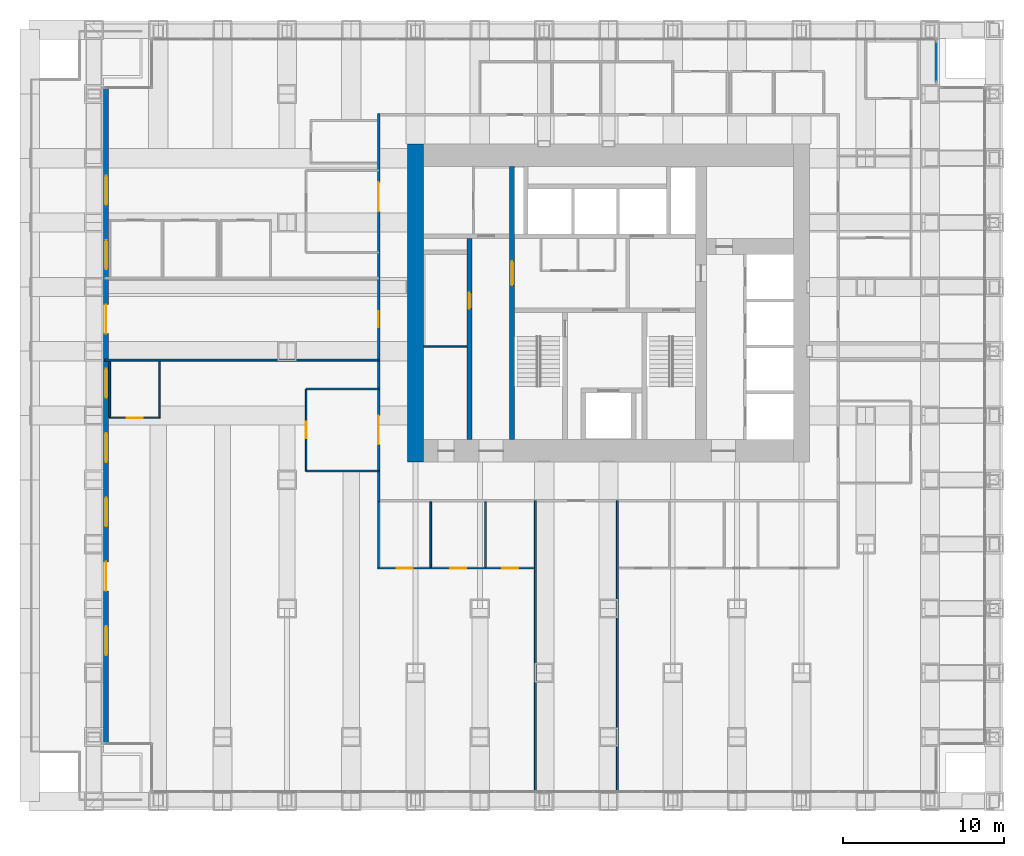
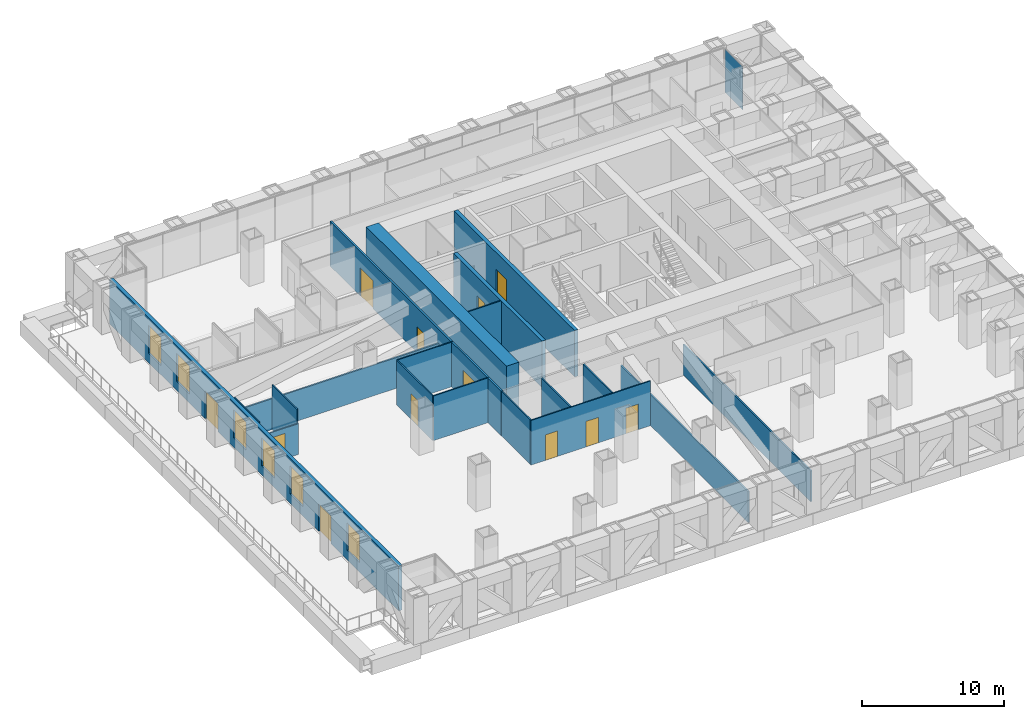
# One storey, part 13 of 18: 19 walls, 12 doors, 6 windows, 1 plate, 18 openings, 1 element without a shape of its own.
"""IFC4 building model written with IfcOpenShell, lengths in metres."""

from ifc_helpers import new_model, si_unit, direction, frame, frame_2d, origin, origin_2d, place, context, subcontext, project, spatial, rectangle, extrude, material, layer, layer_set, type_object, element, fill, aggregate, save


model = new_model("IFC4")

# Units and contexts
model_context = context("Model", 3, precision=1e-05, world=origin(), true_north=direction((0.0, 1.0)))
body_context = subcontext(model_context, "Body", "Model", "MODEL_VIEW")
ifc_project = project(units=[si_unit("LENGTHUNIT", "METRE"), si_unit("AREAUNIT", "SQUARE_METRE"), si_unit("VOLUMEUNIT", "CUBIC_METRE"), si_unit("PLANEANGLEUNIT", "RADIAN"), si_unit("MASSUNIT", "GRAM", prefix="KILO")], contexts=[model_context])

# Site, building, storey
site_placement = place(None, origin())
site = spatial("IfcSite", under=ifc_project, at=site_placement, CompositionType="ELEMENT")
building_placement = place(site_placement, origin())
building = spatial("IfcBuilding", under=site, at=building_placement, Name="Rimbunsela Tower", CompositionType="ELEMENT")
storey_placement = place(building_placement, frame((0.0, 0.0, 11.0)))
storey = spatial("IfcBuildingStorey", under=building, at=storey_placement, Name="L02", CompositionType="ELEMENT", Elevation=11.0)

# Curtain wall, plate
ifc_material_1 = material(Name="Aluminium curtain wall", Category="aluminium")
curtain_wall_type = type_object("IfcCurtainWallType", Name="Corner glazing", PredefinedType="USERDEFINED", material=ifc_material_1)
curtain_wall_placement = place(storey_placement, origin())
curtain_wall = element("IfcCurtainWall", 1, at=curtain_wall_placement, inside=storey, type_object=curtain_wall_type, Name="Corner glazing L02", ObjectType="CORNER GLAZING", PredefinedType="USERDEFINED")
ifc_material_2 = material(Name="Clear double glazing", Category="glass")
ifc_layer_1 = layer(ifc_material_2, 0.028076171875)
ifc_layer_set_1 = layer_set([ifc_layer_1], Name="Glazed panel clear")
plate_type = type_object("IfcPlateType", Name="Glazed panel clear", PredefinedType="CURTAIN_PANEL", material=ifc_layer_set_1)
plate_placement = place(storey_placement, frame((50.39990234375, 42.0, 0.06005859375), z_axis=(0.0, 0.0, 1.0), x_axis=(0.0, 1.0, 0.0)))
plate = element("IfcPlate", 2, at=plate_placement, type_object=plate_type, Name="CW5 panel 1.1", PredefinedType="CURTAIN_PANEL", context=body_context, shape_type="SweptSolid", body=[
    extrude(rectangle(XDim=2.47998046875, YDim=0.028076171875, at=origin_2d()), origin(), (0.0, 0.0, 1.0), 3.72998046875),
])
aggregate(curtain_wall, [plate])

# Wall, opening, door
ifc_material_3 = material(Name="Concrete fc' 80 MPa", Category="concrete")
ifc_layer_2 = layer(ifc_material_3, 0.300048828125)
ifc_layer_set_2 = layer_set([ifc_layer_2], Name="Core internal wall 300")
wall_type_1 = type_object("IfcWallType", Name="Core internal wall 300", PredefinedType="SHEAR", material=ifc_layer_set_2)
wall_1_placement = place(storey_placement, frame((24.0, 18.5, -0.14990234375), z_axis=(0.0, 0.0, 1.0), x_axis=(0.0, 1.0, 0.0)))
wall_1 = element("IfcWall", 3, at=wall_1_placement, inside=storey, type_object=wall_type_1, Name="Core wall at stair A", PredefinedType="SHEAR", context=body_context, shape_type="SweptSolid", body=[
    extrude(rectangle(XDim=17.0, YDim=0.300048828125, at=frame_2d((8.5, 0.0))), origin(), (0.0, 0.0, 1.0), 4.0),
])
opening_1_placement = place(wall_1_placement, frame((9.60009765625, 0.0, 0.14990234375)))
opening_1 = element("IfcOpeningElement", 4, at=opening_1_placement, cuts=wall_1, Name="Opening D03", PredefinedType="OPENING", context=body_context, shape_type="SweptSolid", body=[
    extrude(rectangle(XDim=1.5, YDim=2.39990234375, at=frame_2d((0.75, 1.199951171875))), frame((0.0, 0.159912109375, 0.0), z_axis=(0.0, -1.0, 0.0), x_axis=(1.0, 0.0, 0.0)), (0.0, 0.0, 1.0), 0.320068359375),
])
ifc_material_4 = material(Name="Steel door, fire rated", Category="steel")
door_type_1 = type_object("IfcDoorType", Name="Core lobby door 1500", OperationType="DOUBLE_DOOR_DOUBLE_SWING", PredefinedType="DOOR", material=ifc_material_4)
door_1_placement = place(opening_1_placement, origin())
door_1 = element("IfcDoor", 5, at=door_1_placement, inside=storey, type_object=door_type_1, Name="West lobby door", OperationType="DOUBLE_DOOR_DOUBLE_SWING", OverallHeight=2.39990234375, OverallWidth=1.5, PredefinedType="DOOR", context=body_context, shape_type="SweptSolid", body=[
    extrude(rectangle(XDim=1.5, YDim=2.39990234375, at=frame_2d((0.75, 1.199951171875))), frame((0.0, 0.02490234375, 0.0), z_axis=(0.0, -1.0, 0.0), x_axis=(1.0, 0.0, 0.0)), (0.0, 0.0, 1.0), 0.050048828125),
])
fill(opening_1, door_1)

wall_2_placement = place(storey_placement, frame((21.35009765625, 18.5, -0.14990234375), z_axis=(0.0, 0.0, 1.0), x_axis=(0.0, 1.0, 0.0)))
wall_2 = element("IfcWall", 6, at=wall_2_placement, inside=storey, type_object=wall_type_1, Name="Lift shaft front west", PredefinedType="SHEAR", context=body_context, shape_type="SweptSolid", body=[
    extrude(rectangle(XDim=12.5, YDim=0.300048828125, at=frame_2d((6.25, 0.0))), origin(), (0.0, 0.0, 1.0), 4.0),
])
opening_2_placement = place(wall_2_placement, frame((8.14990234375, 0.0, 0.14990234375)))
opening_2 = element("IfcOpeningElement", 7, at=opening_2_placement, cuts=wall_2, Name="Opening D19", PredefinedType="OPENING", context=body_context, shape_type="SweptSolid", body=[
    extrude(rectangle(XDim=1.0, YDim=2.199951171875, at=frame_2d((0.5, 1.10009765625))), frame((0.0, 0.159912109375, 0.0), z_axis=(0.0, -1.0, 0.0), x_axis=(1.0, 0.0, 0.0)), (0.0, 0.0, 1.0), 0.320068359375),
])
ifc_material_5 = material(Name="Steel door, fire rated", Category="steel")
door_type_2 = type_object("IfcDoorType", Name="Service door 1000 fire rated", OperationType="SINGLE_SWING_LEFT", PredefinedType="DOOR", material=ifc_material_5)
door_2_placement = place(opening_2_placement, origin())
door_2 = element("IfcDoor", 8, at=door_2_placement, inside=storey, type_object=door_type_2, Name="Staff WC door", OperationType="SINGLE_SWING_LEFT", OverallHeight=2.199951171875, OverallWidth=1.0, PredefinedType="DOOR", context=body_context, shape_type="SweptSolid", body=[
    extrude(rectangle(XDim=1.0, YDim=2.199951171875, at=frame_2d((0.5, 1.10009765625))), frame((0.0, 0.02490234375, 0.0), z_axis=(0.0, -1.0, 0.0), x_axis=(1.0, 0.0, 0.0)), (0.0, 0.0, 1.0), 0.050048828125),
])
fill(opening_2, door_2)

# Walls
ifc_material_6 = material(Name="Concrete blockwork", Category="masonry")
ifc_layer_3 = layer(ifc_material_6, 0.10009765625)
ifc_layer_set_3 = layer_set([ifc_layer_3], Name="Core room partition 100")
wall_type_2 = type_object("IfcWallType", Name="Core room partition 100", PredefinedType="PARTITIONING", material=ifc_layer_set_3)
wall_3_placement = place(storey_placement, frame((18.5, 24.300048828125, 0.0), z_axis=(0.0, 0.0, 1.0), x_axis=(1.0, 0.0, 0.0)))
element("IfcWall", 9, at=wall_3_placement, inside=storey, type_object=wall_type_2, Name="Staff WC wall", PredefinedType="PARTITIONING", context=body_context, shape_type="SweptSolid", body=[
    extrude(rectangle(XDim=2.699951171875, YDim=0.10009765625, at=frame_2d((1.35009765625, 0.0))), origin(), (0.0, 0.0, 1.0), 3.85009765625),
])
ifc_material_7 = material(Name="Concrete fc' 80 MPa", Category="concrete")
ifc_layer_4 = layer(ifc_material_7, 1.0)
ifc_layer_set_4 = layer_set([ifc_layer_4], Name="Core wall 1000")
wall_type_3 = type_object("IfcWallType", Name="Core wall 1000", PredefinedType="SHEAR", material=ifc_layer_set_4)
wall_4_placement = place(storey_placement, frame((18.0, 17.10009765625, -0.14990234375), z_axis=(0.0, 0.0, 1.0), x_axis=(0.0, 1.0, 0.0)))
element("IfcWall", 10, at=wall_4_placement, inside=storey, type_object=wall_type_3, Name="Core wall west", PredefinedType="SHEAR", context=body_context, shape_type="SweptSolid", body=[
    extrude(rectangle(XDim=19.7998046875, YDim=1.0, at=frame_2d((9.89990234375, 0.0))), origin(), (0.0, 0.0, 1.0), 4.0),
])

# Wall, openings, doors
ifc_material_8 = material(Name="Gypsum board on steel studs", Category="steel")
ifc_layer_5 = layer(ifc_material_8, 0.10009765625)
ifc_layer_set_5 = layer_set([ifc_layer_5], Name="Office partition 100")
wall_type_4 = type_object("IfcWallType", Name="Office partition 100", PredefinedType="PARTITIONING", material=ifc_layer_set_5)
wall_5_placement = place(storey_placement, frame((15.64990234375, 10.5, 0.0), z_axis=(0.0, 0.0, 1.0), x_axis=(1.0, 0.0, 0.0)))
wall_5 = element("IfcWall", 11, at=wall_5_placement, inside=storey, type_object=wall_type_4, Name="Office partition", PredefinedType="PARTITIONING", context=body_context, shape_type="SweptSolid", body=[
    extrude(rectangle(XDim=9.739013671875, YDim=0.10009765625, at=frame_2d((4.86962890625, 0.0))), origin(), (0.0, 0.0, 1.0), 3.85009765625),
])
opening_3_placement = place(wall_5_placement, frame((1.175048828125, 0.0, 0.0)))
opening_3 = element("IfcOpeningElement", 12, at=opening_3_placement, cuts=wall_5, Name="Opening D16", PredefinedType="OPENING", context=body_context, shape_type="SweptSolid", body=[
    extrude(rectangle(XDim=1.0, YDim=2.199951171875, at=frame_2d((0.5, 1.10009765625))), frame((0.0, 0.06005859375, 0.0), z_axis=(0.0, -1.0, 0.0), x_axis=(1.0, 0.0, 0.0)), (0.0, 0.0, 1.0), 0.1201171875),
])
opening_4_placement = place(wall_5_placement, frame((4.5, 0.0, 0.0)))
opening_4 = element("IfcOpeningElement", 13, at=opening_4_placement, cuts=wall_5, Name="Opening D16", PredefinedType="OPENING", context=body_context, shape_type="SweptSolid", body=[
    extrude(rectangle(XDim=1.0, YDim=2.199951171875, at=frame_2d((0.5, 1.10009765625))), frame((0.0, 0.06005859375, 0.0), z_axis=(0.0, -1.0, 0.0), x_axis=(1.0, 0.0, 0.0)), (0.0, 0.0, 1.0), 0.1201171875),
])
opening_5_placement = place(wall_5_placement, frame((7.74951171875, 0.0, 0.0)))
opening_5 = element("IfcOpeningElement", 14, at=opening_5_placement, cuts=wall_5, Name="Opening D16", PredefinedType="OPENING", context=body_context, shape_type="SweptSolid", body=[
    extrude(rectangle(XDim=1.0, YDim=2.199951171875, at=frame_2d((0.5, 1.10009765625))), frame((0.0, 0.06005859375, 0.0), z_axis=(0.0, -1.0, 0.0), x_axis=(1.0, 0.0, 0.0)), (0.0, 0.0, 1.0), 0.1201171875),
])
ifc_material_9 = material(Name="Timber door", Category="wood")
door_type_3 = type_object("IfcDoorType", Name="Office door 1000", OperationType="SINGLE_SWING_LEFT", PredefinedType="DOOR", material=ifc_material_9)
door_3_placement = place(opening_3_placement, origin())
door_3 = element("IfcDoor", 15, at=door_3_placement, inside=storey, type_object=door_type_3, Name="Office door", OperationType="SINGLE_SWING_LEFT", OverallHeight=2.199951171875, OverallWidth=1.0, PredefinedType="DOOR", context=body_context, shape_type="SweptSolid", body=[
    extrude(rectangle(XDim=1.0, YDim=2.199951171875, at=frame_2d((0.5, 1.10009765625))), frame((0.0, 0.02490234375, 0.0), z_axis=(0.0, -1.0, 0.0), x_axis=(1.0, 0.0, 0.0)), (0.0, 0.0, 1.0), 0.050048828125),
])
fill(opening_3, door_3)
door_4_placement = place(opening_4_placement, origin())
door_4 = element("IfcDoor", 16, at=door_4_placement, inside=storey, type_object=door_type_3, Name="Office door", OperationType="SINGLE_SWING_LEFT", OverallHeight=2.199951171875, OverallWidth=1.0, PredefinedType="DOOR", context=body_context, shape_type="SweptSolid", body=[
    extrude(rectangle(XDim=1.0, YDim=2.199951171875, at=frame_2d((0.5, 1.10009765625))), frame((0.0, 0.02490234375, 0.0), z_axis=(0.0, -1.0, 0.0), x_axis=(1.0, 0.0, 0.0)), (0.0, 0.0, 1.0), 0.050048828125),
])
fill(opening_4, door_4)
door_5_placement = place(opening_5_placement, origin())
door_5 = element("IfcDoor", 17, at=door_5_placement, inside=storey, type_object=door_type_3, Name="Office door", OperationType="SINGLE_SWING_LEFT", OverallHeight=2.199951171875, OverallWidth=1.0, PredefinedType="DOOR", context=body_context, shape_type="SweptSolid", body=[
    extrude(rectangle(XDim=1.0, YDim=2.199951171875, at=frame_2d((0.5, 1.10009765625))), frame((0.0, 0.02490234375, 0.0), z_axis=(0.0, -1.0, 0.0), x_axis=(1.0, 0.0, 0.0)), (0.0, 0.0, 1.0), 0.050048828125),
])
fill(opening_5, door_5)

# Wall, opening, door
wall_6_placement = place(storey_placement, frame((-1.070068359375, 19.85009765625, 0.0), z_axis=(0.0, 0.0, 1.0), x_axis=(1.0, 0.0, 0.0)))
wall_6 = element("IfcWall", 18, at=wall_6_placement, inside=storey, type_object=wall_type_4, Name="Office partition", PredefinedType="PARTITIONING", context=body_context, shape_type="SweptSolid", body=[
    extrude(rectangle(XDim=3.199951171875, YDim=0.10009765625, at=frame_2d((1.60009765625, 0.0))), origin(), (0.0, 0.0, 1.0), 2.64990234375),
])
opening_6_placement = place(wall_6_placement, frame((1.10009765625, 0.0, 0.0)))
opening_6 = element("IfcOpeningElement", 19, at=opening_6_placement, cuts=wall_6, Name="Opening D16", PredefinedType="OPENING", context=body_context, shape_type="SweptSolid", body=[
    extrude(rectangle(XDim=1.0, YDim=2.199951171875, at=frame_2d((0.5, 1.10009765625))), frame((0.0, 0.06005859375, 0.0), z_axis=(0.0, -1.0, 0.0), x_axis=(1.0, 0.0, 0.0)), (0.0, 0.0, 1.0), 0.1201171875),
])
door_6_placement = place(opening_6_placement, origin())
door_6 = element("IfcDoor", 20, at=door_6_placement, inside=storey, type_object=door_type_3, Name="Office door", OperationType="SINGLE_SWING_LEFT", OverallHeight=2.199951171875, OverallWidth=1.0, PredefinedType="DOOR", context=body_context, shape_type="SweptSolid", body=[
    extrude(rectangle(XDim=1.0, YDim=2.199951171875, at=frame_2d((0.5, 1.10009765625))), frame((0.0, 0.02490234375, 0.0), z_axis=(0.0, -1.0, 0.0), x_axis=(1.0, 0.0, 0.0)), (0.0, 0.0, 1.0), 0.050048828125),
])
fill(opening_6, door_6)

# Walls
for number, where, z_axis, x_axis, name in (
    (21, (-1.02001953125, 19.89990234375, 0.0), (0.0, 0.0, 1.0), (0.0, 1.0, 0.0), "Office partition"),
    (22, (2.080078125, 19.89990234375, 0.0), (0.0, 0.0, 1.0), (0.0, 1.0, 0.0), "Office partition"),
):
    element("IfcWall", number, at=place(storey_placement, frame(where, z_axis=z_axis, x_axis=x_axis)), inside=storey, type_object=wall_type_4, Name=name, PredefinedType="PARTITIONING", context=body_context, shape_type="SweptSolid", body=[
        extrude(rectangle(XDim=3.489990234375, YDim=0.10009765625, at=frame_2d((1.7451171875, 0.0))), origin(), (0.0, 0.0, 1.0), 3.85009765625),
    ])
for number, where, z_axis, x_axis, name in (
    (23, (15.699951171875, 10.550048828125, 0.0), (0.0, 0.0, 1.0), (0.0, 1.0, 0.0), "Office partition"),
    (24, (18.949951171875, 10.550048828125, 0.0), (0.0, 0.0, 1.0), (0.0, 1.0, 0.0), "Office partition"),
    (25, (22.35009765625, 10.550048828125, 0.0), (0.0, 0.0, 1.0), (0.0, 1.0, 0.0), "Office partition"),
):
    element("IfcWall", number, at=place(storey_placement, frame(where, z_axis=z_axis, x_axis=x_axis)), inside=storey, type_object=wall_type_4, Name=name, PredefinedType="PARTITIONING", context=body_context, shape_type="SweptSolid", body=[
        extrude(rectangle(XDim=4.074951171875, YDim=0.10009765625, at=frame_2d((2.03759765625, 0.0))), origin(), (0.0, 0.0, 1.0), 3.85009765625),
    ])
wall_7_placement = place(storey_placement, frame((15.699951171875, 21.64892578125, 0.0), z_axis=(0.0, 0.0, 1.0), x_axis=(-1.0, 0.0, 0.0)))
element("IfcWall", 26, at=wall_7_placement, inside=storey, type_object=wall_type_4, Name="Office partition", PredefinedType="PARTITIONING", context=body_context, shape_type="SweptSolid", body=[
    extrude(rectangle(XDim=4.5, YDim=0.10009765625, at=frame_2d((2.25, 0.0))), origin(), (0.0, 0.0, 1.0), 3.85009765625),
])

# Wall, opening, door
wall_8_placement = place(storey_placement, frame((11.199951171875, 21.64892578125, 0.0), z_axis=(0.0, 0.0, 1.0), x_axis=(0.0, -1.0, 0.0)))
wall_8 = element("IfcWall", 27, at=wall_8_placement, inside=storey, type_object=wall_type_4, Name="Office partition", PredefinedType="PARTITIONING", context=body_context, shape_type="SweptSolid", body=[
    extrude(rectangle(XDim=5.099853515625, YDim=0.10009765625, at=frame_2d((2.5498046875, 0.0))), origin(), (0.0, 0.0, 1.0), 3.85009765625),
])
opening_7_placement = place(wall_8_placement, frame((2.050048828125, 0.0, 0.0)))
opening_7 = element("IfcOpeningElement", 28, at=opening_7_placement, cuts=wall_8, Name="Opening D17", PredefinedType="OPENING", context=body_context, shape_type="SweptSolid", body=[
    extrude(rectangle(XDim=1.0, YDim=2.199951171875, at=frame_2d((0.5, 1.10009765625))), frame((0.0, 0.06005859375, 0.0), z_axis=(0.0, -1.0, 0.0), x_axis=(1.0, 0.0, 0.0)), (0.0, 0.0, 1.0), 0.1201171875),
])
ifc_material_10 = material(Name="Glazed aluminium door", Category="aluminium")
door_type_4 = type_object("IfcDoorType", Name="Meeting room door 1000 glazed", OperationType="SINGLE_SWING_RIGHT", PredefinedType="DOOR", material=ifc_material_10)
door_7_placement = place(opening_7_placement, origin())
door_7 = element("IfcDoor", 29, at=door_7_placement, inside=storey, type_object=door_type_4, Name="Reception door", OperationType="SINGLE_SWING_RIGHT", OverallHeight=2.199951171875, OverallWidth=1.0, PredefinedType="DOOR", context=body_context, shape_type="SweptSolid", body=[
    extrude(rectangle(XDim=1.0, YDim=2.199951171875, at=frame_2d((0.5, 1.10009765625))), frame((0.0, 0.02490234375, 0.0), z_axis=(0.0, -1.0, 0.0), x_axis=(1.0, 0.0, 0.0)), (0.0, 0.0, 1.0), 0.050048828125),
])
fill(opening_7, door_7)

# Wall
wall_9_placement = place(storey_placement, frame((11.199951171875, 16.549072265625, 0.0), z_axis=(0.0, 0.0, 1.0), x_axis=(1.0, 0.0, 0.0)))
element("IfcWall", 30, at=wall_9_placement, inside=storey, type_object=wall_type_4, Name="Office partition", PredefinedType="PARTITIONING", context=body_context, shape_type="SweptSolid", body=[
    extrude(rectangle(XDim=4.5, YDim=0.10009765625, at=frame_2d((2.25, 0.0))), origin(), (0.0, 0.0, 1.0), 3.85009765625),
])

# Wall, openings, doors
ifc_material_11 = material(Name="Fire-rated gypsum board on steel studs, EI 60", Category="steel")
ifc_layer_6 = layer(ifc_material_11, 0.14990234375)
ifc_layer_set_6 = layer_set([ifc_layer_6], Name="Rated corridor wall 150")
wall_type_5 = type_object("IfcWallType", Name="Rated corridor wall 150", PredefinedType="PARTITIONING", material=ifc_layer_set_6)
wall_10_placement = place(storey_placement, frame((15.699951171875, 14.625, 0.0), z_axis=(0.0, 0.0, 1.0), x_axis=(0.0, 1.0, 0.0)))
wall_10 = element("IfcWall", 31, at=wall_10_placement, inside=storey, type_object=wall_type_5, Name="Corridor wall west", PredefinedType="PARTITIONING", context=body_context, shape_type="SweptSolid", body=[
    extrude(rectangle(XDim=24.14990234375, YDim=0.14990234375, at=frame_2d((12.074951171875, 0.0))), origin(), (0.0, 0.0, 1.0), 3.85009765625),
])
opening_8_placement = place(wall_10_placement, frame((3.573974609375, 0.0, 0.0)))
opening_8 = element("IfcOpeningElement", 32, at=opening_8_placement, cuts=wall_10, Name="Opening D09", PredefinedType="OPENING", context=body_context, shape_type="SweptSolid", body=[
    extrude(rectangle(XDim=1.800048828125, YDim=2.39990234375, at=frame_2d((0.89990234375, 1.199951171875))), frame((0.0, 0.0849609375, 0.0), z_axis=(0.0, -1.0, 0.0), x_axis=(1.0, 0.0, 0.0)), (0.0, 0.0, 1.0), 0.169921875),
])
opening_9_placement = place(wall_10_placement, frame((18.074951171875, 0.0, 0.0)))
opening_9 = element("IfcOpeningElement", 33, at=opening_9_placement, cuts=wall_10, Name="Opening D09", PredefinedType="OPENING", context=body_context, shape_type="SweptSolid", body=[
    extrude(rectangle(XDim=1.800048828125, YDim=2.39990234375, at=frame_2d((0.89990234375, 1.199951171875))), frame((0.0, 0.0849609375, 0.0), z_axis=(0.0, -1.0, 0.0), x_axis=(1.0, 0.0, 0.0)), (0.0, 0.0, 1.0), 0.169921875),
])
opening_10_placement = place(wall_10_placement, frame((10.875, 0.0, 0.0)))
opening_10 = element("IfcOpeningElement", 34, at=opening_10_placement, cuts=wall_10, Name="Opening D19", PredefinedType="OPENING", context=body_context, shape_type="SweptSolid", body=[
    extrude(rectangle(XDim=1.0, YDim=2.199951171875, at=frame_2d((0.5, 1.10009765625))), frame((0.0, 0.0849609375, 0.0), z_axis=(0.0, -1.0, 0.0), x_axis=(1.0, 0.0, 0.0)), (0.0, 0.0, 1.0), 0.169921875),
])
door_8_placement = place(opening_10_placement, origin())
door_8 = element("IfcDoor", 35, at=door_8_placement, inside=storey, type_object=door_type_2, Name="Service chase access door", OperationType="SINGLE_SWING_LEFT", OverallHeight=2.199951171875, OverallWidth=1.0, PredefinedType="DOOR", context=body_context, shape_type="SweptSolid", body=[
    extrude(rectangle(XDim=1.0, YDim=2.199951171875, at=frame_2d((0.5, 1.10009765625))), frame((0.0, 0.02490234375, 0.0), z_axis=(0.0, -1.0, 0.0), x_axis=(1.0, 0.0, 0.0)), (0.0, 0.0, 1.0), 0.050048828125),
])
fill(opening_10, door_8)
ifc_material_12 = material(Name="Glazed aluminium door, fire rated", Category="aluminium")
door_type_5 = type_object("IfcDoorType", Name="Tenancy door 1800 glazed", OperationType="DOUBLE_DOOR_DOUBLE_SWING", PredefinedType="DOOR", material=ifc_material_12)
door_9_placement = place(opening_8_placement, origin())
door_9 = element("IfcDoor", 36, at=door_9_placement, inside=storey, type_object=door_type_5, Name="Tenancy door", OperationType="DOUBLE_DOOR_DOUBLE_SWING", OverallHeight=2.39990234375, OverallWidth=1.800048828125, PredefinedType="DOOR", context=body_context, shape_type="SweptSolid", body=[
    extrude(rectangle(XDim=1.800048828125, YDim=2.39990234375, at=frame_2d((0.89990234375, 1.199951171875))), frame((0.0, 0.02490234375, 0.0), z_axis=(0.0, -1.0, 0.0), x_axis=(1.0, 0.0, 0.0)), (0.0, 0.0, 1.0), 0.050048828125),
])
fill(opening_8, door_9)
door_10_placement = place(opening_9_placement, origin())
door_10 = element("IfcDoor", 37, at=door_10_placement, inside=storey, type_object=door_type_5, Name="Tenancy door", OperationType="DOUBLE_DOOR_DOUBLE_SWING", OverallHeight=2.39990234375, OverallWidth=1.800048828125, PredefinedType="DOOR", context=body_context, shape_type="SweptSolid", body=[
    extrude(rectangle(XDim=1.800048828125, YDim=2.39990234375, at=frame_2d((0.89990234375, 1.199951171875))), frame((0.0, 0.02490234375, 0.0), z_axis=(0.0, -1.0, 0.0), x_axis=(1.0, 0.0, 0.0)), (0.0, 0.0, 1.0), 0.050048828125),
])
fill(opening_9, door_10)

# Walls
ifc_material_13 = material(Name="Gypsum board on steel studs", Category="steel")
ifc_layer_7 = layer(ifc_material_13, 0.1201171875)
ifc_layer_set_7 = layer_set([ifc_layer_7], Name="Tenancy partition 120")
wall_type_6 = type_object("IfcWallType", Name="Tenancy partition 120", PredefinedType="PARTITIONING", material=ifc_layer_set_7)
for number, where, z_axis, x_axis, name in (
    (38, (25.449951171875, -3.320068359375, 0.0), (0.0, 0.0, 1.0), (0.0, 1.0, 0.0), "Tenancy partition"),
    (39, (30.550048828125, -3.320068359375, 0.0), (0.0, 0.0, 1.0), (0.0, 1.0, 0.0), "Tenancy partition"),
):
    element("IfcWall", number, at=place(storey_placement, frame(where, z_axis=z_axis, x_axis=x_axis)), inside=storey, type_object=wall_type_6, Name=name, PredefinedType="PARTITIONING", context=body_context, shape_type="SweptSolid", body=[
        extrude(rectangle(XDim=18.02001953125, YDim=0.1201171875, at=frame_2d((9.010009765625, 0.0))), origin(), (0.0, 0.0, 1.0), 2.64990234375),
    ])
wall_11_placement = place(storey_placement, frame((-1.320068359375, 23.449951171875, 0.0), z_axis=(0.0, 0.0, 1.0), x_axis=(1.0, 0.0, 0.0)))
element("IfcWall", 40, at=wall_11_placement, inside=storey, type_object=wall_type_6, Name="Tenancy partition", PredefinedType="PARTITIONING", context=body_context, shape_type="SweptSolid", body=[
    extrude(rectangle(XDim=17.02001953125, YDim=0.1201171875, at=frame_2d((8.510009765625, 0.0))), origin(), (0.0, 0.0, 1.0), 2.64990234375),
])

# Wall, openings, doors, windows
ifc_material_14 = material(Name="Precast concrete fc' 35 MPa", Category="concrete")
ifc_layer_8 = layer(ifc_material_14, 0.300048828125)
ifc_layer_set_8 = layer_set([ifc_layer_8], Name="Terrace wall 300")
wall_type_7 = type_object("IfcWallType", Name="Terrace wall 300", PredefinedType="ELEMENTEDWALL", material=ifc_layer_set_8)
wall_12_placement = place(storey_placement, frame((-1.25, 40.39990234375, 0.0), z_axis=(0.0, 0.0, 1.0), x_axis=(0.0, -1.0, 0.0)))
wall_12 = element("IfcWall", 41, at=wall_12_placement, inside=storey, type_object=wall_type_7, Name="Terrace wall W L02", PredefinedType="ELEMENTEDWALL", context=body_context, shape_type="SweptSolid", body=[
    extrude(rectangle(XDim=40.7998046875, YDim=0.300048828125, at=frame_2d((20.39990234375, 0.0))), origin(), (0.0, 0.0, 1.0), 3.85009765625),
])
opening_11_placement = place(wall_12_placement, frame((33.5, 0.0, 0.800048828125)))
opening_11 = element("IfcOpeningElement", 42, at=opening_11_placement, cuts=wall_12, Name="Opening W3", PredefinedType="OPENING", context=body_context, shape_type="SweptSolid", body=[
    extrude(rectangle(XDim=1.800048828125, YDim=2.39990234375, at=frame_2d((0.89990234375, 1.199951171875))), frame((0.0, 0.159912109375, 0.0), z_axis=(0.0, -1.0, 0.0), x_axis=(1.0, 0.0, 0.0)), (0.0, 0.0, 1.0), 0.320068359375),
])
opening_12_placement = place(wall_12_placement, frame((29.5, 0.0, 0.0)))
opening_12 = element("IfcOpeningElement", 43, at=opening_12_placement, cuts=wall_12, Name="Opening TD1", PredefinedType="OPENING", context=body_context, shape_type="SweptSolid", body=[
    extrude(rectangle(XDim=1.800048828125, YDim=2.39990234375, at=frame_2d((0.89990234375, 1.199951171875))), frame((0.0, 0.159912109375, 0.0), z_axis=(0.0, -1.0, 0.0), x_axis=(1.0, 0.0, 0.0)), (0.0, 0.0, 1.0), 0.320068359375),
])
opening_13_placement = place(wall_12_placement, frame((25.5, 0.0, 0.800048828125)))
opening_13 = element("IfcOpeningElement", 44, at=opening_13_placement, cuts=wall_12, Name="Opening W3", PredefinedType="OPENING", context=body_context, shape_type="SweptSolid", body=[
    extrude(rectangle(XDim=1.800048828125, YDim=2.39990234375, at=frame_2d((0.89990234375, 1.199951171875))), frame((0.0, 0.159912109375, 0.0), z_axis=(0.0, -1.0, 0.0), x_axis=(1.0, 0.0, 0.0)), (0.0, 0.0, 1.0), 0.320068359375),
])
opening_14_placement = place(wall_12_placement, frame((21.5, 0.0, 0.800048828125)))
opening_14 = element("IfcOpeningElement", 45, at=opening_14_placement, cuts=wall_12, Name="Opening W3", PredefinedType="OPENING", context=body_context, shape_type="SweptSolid", body=[
    extrude(rectangle(XDim=1.800048828125, YDim=2.39990234375, at=frame_2d((0.89990234375, 1.199951171875))), frame((0.0, 0.159912109375, 0.0), z_axis=(0.0, -1.0, 0.0), x_axis=(1.0, 0.0, 0.0)), (0.0, 0.0, 1.0), 0.320068359375),
])
opening_15_placement = place(wall_12_placement, frame((17.5, 0.0, 0.800048828125)))
opening_15 = element("IfcOpeningElement", 46, at=opening_15_placement, cuts=wall_12, Name="Opening W3", PredefinedType="OPENING", context=body_context, shape_type="SweptSolid", body=[
    extrude(rectangle(XDim=1.800048828125, YDim=2.39990234375, at=frame_2d((0.89990234375, 1.199951171875))), frame((0.0, 0.159912109375, 0.0), z_axis=(0.0, -1.0, 0.0), x_axis=(1.0, 0.0, 0.0)), (0.0, 0.0, 1.0), 0.320068359375),
])
opening_16_placement = place(wall_12_placement, frame((13.5, 0.0, 0.0)))
opening_16 = element("IfcOpeningElement", 47, at=opening_16_placement, cuts=wall_12, Name="Opening TD1", PredefinedType="OPENING", context=body_context, shape_type="SweptSolid", body=[
    extrude(rectangle(XDim=1.800048828125, YDim=2.39990234375, at=frame_2d((0.89990234375, 1.199951171875))), frame((0.0, 0.159912109375, 0.0), z_axis=(0.0, -1.0, 0.0), x_axis=(1.0, 0.0, 0.0)), (0.0, 0.0, 1.0), 0.320068359375),
])
opening_17_placement = place(wall_12_placement, frame((9.5, 0.0, 0.800048828125)))
opening_17 = element("IfcOpeningElement", 48, at=opening_17_placement, cuts=wall_12, Name="Opening W3", PredefinedType="OPENING", context=body_context, shape_type="SweptSolid", body=[
    extrude(rectangle(XDim=1.800048828125, YDim=2.39990234375, at=frame_2d((0.89990234375, 1.199951171875))), frame((0.0, 0.159912109375, 0.0), z_axis=(0.0, -1.0, 0.0), x_axis=(1.0, 0.0, 0.0)), (0.0, 0.0, 1.0), 0.320068359375),
])
opening_18_placement = place(wall_12_placement, frame((5.5, 0.0, 0.800048828125)))
opening_18 = element("IfcOpeningElement", 49, at=opening_18_placement, cuts=wall_12, Name="Opening W3", PredefinedType="OPENING", context=body_context, shape_type="SweptSolid", body=[
    extrude(rectangle(XDim=1.800048828125, YDim=2.39990234375, at=frame_2d((0.89990234375, 1.199951171875))), frame((0.0, 0.159912109375, 0.0), z_axis=(0.0, -1.0, 0.0), x_axis=(1.0, 0.0, 0.0)), (0.0, 0.0, 1.0), 0.320068359375),
])
ifc_material_15 = material(Name="Glazed aluminium door", Category="aluminium")
door_type_6 = type_object("IfcDoorType", Name="Terrace door 1800", OperationType="DOUBLE_DOOR_SLIDING", PredefinedType="DOOR", material=ifc_material_15)
door_11_placement = place(opening_12_placement, origin())
door_11 = element("IfcDoor", 50, at=door_11_placement, inside=storey, type_object=door_type_6, Name="Terrace door", OperationType="DOUBLE_DOOR_SLIDING", OverallHeight=2.39990234375, OverallWidth=1.800048828125, PredefinedType="DOOR", context=body_context, shape_type="SweptSolid", body=[
    extrude(rectangle(XDim=1.800048828125, YDim=2.39990234375, at=frame_2d((0.89990234375, 1.199951171875))), frame((0.0, 0.02490234375, 0.0), z_axis=(0.0, -1.0, 0.0), x_axis=(1.0, 0.0, 0.0)), (0.0, 0.0, 1.0), 0.050048828125),
])
fill(opening_12, door_11)
door_12_placement = place(opening_16_placement, origin())
door_12 = element("IfcDoor", 51, at=door_12_placement, inside=storey, type_object=door_type_6, Name="Terrace door", OperationType="DOUBLE_DOOR_SLIDING", OverallHeight=2.39990234375, OverallWidth=1.800048828125, PredefinedType="DOOR", context=body_context, shape_type="SweptSolid", body=[
    extrude(rectangle(XDim=1.800048828125, YDim=2.39990234375, at=frame_2d((0.89990234375, 1.199951171875))), frame((0.0, 0.02490234375, 0.0), z_axis=(0.0, -1.0, 0.0), x_axis=(1.0, 0.0, 0.0)), (0.0, 0.0, 1.0), 0.050048828125),
])
fill(opening_16, door_12)
ifc_material_16 = material(Name="Clear glass in aluminium frame", Category="aluminium")
window_type = type_object("IfcWindowType", Name="Window W3 1800x2400", PartitioningType="SINGLE_PANEL", PredefinedType="WINDOW", material=ifc_material_16)
window_1_placement = place(opening_11_placement, origin())
window_1 = element("IfcWindow", 52, at=window_1_placement, inside=storey, type_object=window_type, Name="Window L02", OverallHeight=2.39990234375, OverallWidth=1.800048828125, PartitioningType="SINGLE_PANEL", PredefinedType="WINDOW", context=body_context, shape_type="SweptSolid", body=[
    extrude(rectangle(XDim=1.800048828125, YDim=2.39990234375, at=frame_2d((0.89990234375, 1.199951171875))), frame((0.0, 0.030029296875, 0.0), z_axis=(0.0, -1.0, 0.0), x_axis=(1.0, 0.0, 0.0)), (0.0, 0.0, 1.0), 0.06005859375),
])
fill(opening_11, window_1)
window_2_placement = place(opening_13_placement, origin())
window_2 = element("IfcWindow", 53, at=window_2_placement, inside=storey, type_object=window_type, Name="Window L02", OverallHeight=2.39990234375, OverallWidth=1.800048828125, PartitioningType="SINGLE_PANEL", PredefinedType="WINDOW", context=body_context, shape_type="SweptSolid", body=[
    extrude(rectangle(XDim=1.800048828125, YDim=2.39990234375, at=frame_2d((0.89990234375, 1.199951171875))), frame((0.0, 0.030029296875, 0.0), z_axis=(0.0, -1.0, 0.0), x_axis=(1.0, 0.0, 0.0)), (0.0, 0.0, 1.0), 0.06005859375),
])
fill(opening_13, window_2)
window_3_placement = place(opening_14_placement, origin())
window_3 = element("IfcWindow", 54, at=window_3_placement, inside=storey, type_object=window_type, Name="Window L02", OverallHeight=2.39990234375, OverallWidth=1.800048828125, PartitioningType="SINGLE_PANEL", PredefinedType="WINDOW", context=body_context, shape_type="SweptSolid", body=[
    extrude(rectangle(XDim=1.800048828125, YDim=2.39990234375, at=frame_2d((0.89990234375, 1.199951171875))), frame((0.0, 0.030029296875, 0.0), z_axis=(0.0, -1.0, 0.0), x_axis=(1.0, 0.0, 0.0)), (0.0, 0.0, 1.0), 0.06005859375),
])
fill(opening_14, window_3)
window_4_placement = place(opening_15_placement, origin())
window_4 = element("IfcWindow", 55, at=window_4_placement, inside=storey, type_object=window_type, Name="Window L02", OverallHeight=2.39990234375, OverallWidth=1.800048828125, PartitioningType="SINGLE_PANEL", PredefinedType="WINDOW", context=body_context, shape_type="SweptSolid", body=[
    extrude(rectangle(XDim=1.800048828125, YDim=2.39990234375, at=frame_2d((0.89990234375, 1.199951171875))), frame((0.0, 0.030029296875, 0.0), z_axis=(0.0, -1.0, 0.0), x_axis=(1.0, 0.0, 0.0)), (0.0, 0.0, 1.0), 0.06005859375),
])
fill(opening_15, window_4)
window_5_placement = place(opening_17_placement, origin())
window_5 = element("IfcWindow", 56, at=window_5_placement, inside=storey, type_object=window_type, Name="Window L02", OverallHeight=2.39990234375, OverallWidth=1.800048828125, PartitioningType="SINGLE_PANEL", PredefinedType="WINDOW", context=body_context, shape_type="SweptSolid", body=[
    extrude(rectangle(XDim=1.800048828125, YDim=2.39990234375, at=frame_2d((0.89990234375, 1.199951171875))), frame((0.0, 0.030029296875, 0.0), z_axis=(0.0, -1.0, 0.0), x_axis=(1.0, 0.0, 0.0)), (0.0, 0.0, 1.0), 0.06005859375),
])
fill(opening_17, window_5)
window_6_placement = place(opening_18_placement, origin())
window_6 = element("IfcWindow", 57, at=window_6_placement, inside=storey, type_object=window_type, Name="Window L02", OverallHeight=2.39990234375, OverallWidth=1.800048828125, PartitioningType="SINGLE_PANEL", PredefinedType="WINDOW", context=body_context, shape_type="SweptSolid", body=[
    extrude(rectangle(XDim=1.800048828125, YDim=2.39990234375, at=frame_2d((0.89990234375, 1.199951171875))), frame((0.0, 0.030029296875, 0.0), z_axis=(0.0, -1.0, 0.0), x_axis=(1.0, 0.0, 0.0)), (0.0, 0.0, 1.0), 0.06005859375),
])
fill(opening_18, window_6)

save(model, "model.ifc")
